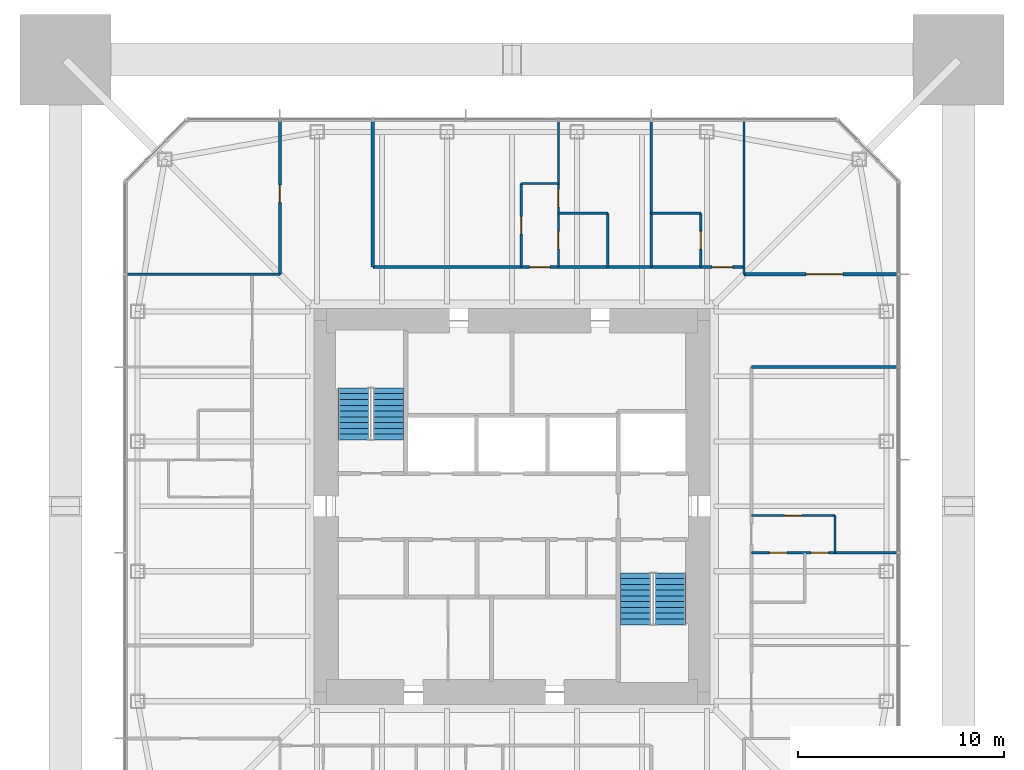
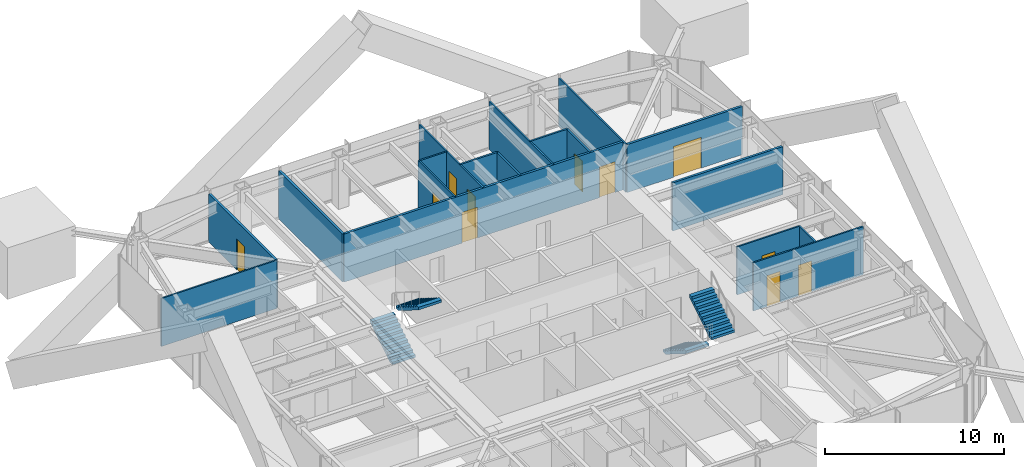
# One storey, part 10 of 13: 18 walls, 11 doors, 4 stair flights, 11 openings, 2 elements without a shape of their own.
"""IFC4 building model written with IfcOpenShell, lengths in metres."""

import ifcopenshell
import ifcopenshell.guid

model = None  # the IFC model being written
_history = None  # IfcOwnerHistory: only IFC2X3 demands one
_inside = {}  # id of a spatial element -> (the spatial element, [elements in it])
_under = {}  # id of a project, library or spatial element -> (it, [spatial elements below it])
_declared = {}  # id of a project -> (the project, [libraries it declares])
_typed = {}  # id of a type object -> (the type object, [elements of that type])
_made_of = {}  # id of a material, layer set ... -> (it, [elements and type objects made of it])


def new_model(schema):
    """Start an empty IFC model of exactly this schema.

    Asked for "IFC4X3", IfcOpenShell would pick the latest addendum, in which some entities
    have other attributes; the version numbers below select the first issue.
    IFC2X3 requires an IfcOwnerHistory on every rooted entity: one is made here for all.
    """
    global model, _history
    if schema == "IFC4X3":
        model = ifcopenshell.file(schema_version=(4, 3, 0, 0))
    else:
        model = ifcopenshell.file(schema=schema)
    _inside.clear()
    _under.clear()
    _declared.clear()
    _typed.clear()
    _made_of.clear()
    _history = None
    if model.schema == "IFC2X3":
        org = make("IfcOrganization", Name="unknown")
        user = make(
            "IfcPersonAndOrganization",
            ThePerson=make("IfcPerson", FamilyName="unknown"),
            TheOrganization=org,
        )
        app = make(
            "IfcApplication",
            ApplicationDeveloper=org,
            Version="unknown",
            ApplicationFullName="unknown",
            ApplicationIdentifier="unknown",
        )
        _history = make(
            "IfcOwnerHistory",
            OwningUser=user,
            OwningApplication=app,
            ChangeAction="ADDED",
            CreationDate=0,
        )
    return model


def make(cls, **values):
    """One entity of the class cls with the attributes given. An attribute that is None is left unset."""
    return model.create_entity(
        cls, **{name: value for name, value in values.items() if value is not None}
    )


def rooted(cls, **values):
    """An entity with a GlobalId (a new one), such as an element, a storey or a relation."""
    return make(cls, GlobalId=ifcopenshell.guid.new(), OwnerHistory=_history, **values)


def si_unit(unit_type, name, prefix=None):
    """IfcSIUnit, for example si_unit("LENGTHUNIT", "METRE", prefix="MILLI")."""
    return make("IfcSIUnit", UnitType=unit_type, Prefix=prefix, Name=name)


def assignment(units):
    """IfcUnitAssignment: the units of a project."""
    return None if units is None else make("IfcUnitAssignment", Units=units)


def point(xyz):
    """IfcCartesianPoint."""
    return None if xyz is None else make("IfcCartesianPoint", Coordinates=xyz)


def direction(xyz):
    """IfcDirection."""
    return None if xyz is None else make("IfcDirection", DirectionRatios=xyz)


def frame(location, z_axis=None, x_axis=None):
    """IfcAxis2Placement3D, a coordinate frame: its origin and axes. An axis left out is left unset."""
    return make(
        "IfcAxis2Placement3D",
        Location=point(location),
        Axis=direction(z_axis),
        RefDirection=direction(x_axis),
    )


def frame_2d(location, x_axis=None):
    """IfcAxis2Placement2D, a coordinate frame in the plane: its origin and x axis."""
    return make(
        "IfcAxis2Placement2D", Location=point(location), RefDirection=direction(x_axis)
    )


def origin():
    """The frame at (0, 0, 0) with its axes left unset."""
    return frame((0.0, 0.0, 0.0))


def place(relative_to, where):
    """IfcLocalPlacement: puts the frame where relative to a parent placement (None: the world)."""
    return make(
        "IfcLocalPlacement", PlacementRelTo=relative_to, RelativePlacement=where
    )


def context(
    kind, dimensions, precision=None, world=None, true_north=None, identifier=None
):
    """IfcGeometricRepresentationContext, for example the 3D "Model" context."""
    return make(
        "IfcGeometricRepresentationContext",
        ContextIdentifier=identifier,
        ContextType=kind,
        CoordinateSpaceDimension=dimensions,
        Precision=precision,
        WorldCoordinateSystem=world,
        TrueNorth=true_north,
    )


def subcontext(parent, identifier, kind, view, scale=None):
    """IfcGeometricRepresentationSubContext, for example "Body" below "Model"."""
    return make(
        "IfcGeometricRepresentationSubContext",
        ContextIdentifier=identifier,
        ContextType=kind,
        ParentContext=parent,
        TargetScale=scale,
        TargetView=view,
    )


def project(units=None, contexts=None):
    """IfcProject with its units and contexts."""
    return rooted(
        "IfcProject",
        Name="project",
        RepresentationContexts=contexts,
        UnitsInContext=assignment(units),
    )


def spatial(cls, under=None, at=None, **own):
    """A site, building, storey or space (cls), placed at a placement, below another one or the project."""
    s = rooted(cls, ObjectPlacement=at, **own)
    if under is not None:
        _under.setdefault(under.id(), (under, []))[1].append(s)
    return s


def polyline(points):
    """IfcPolyline through the points."""
    return make("IfcPolyline", Points=[point(p) for p in points])


def profile(cls, at=None, kind="AREA", **sizes):
    """A parametric profile (cls). Its sizes go by their IFC names, for example OverallWidth=200.0."""
    return make(cls, ProfileType=kind, Position=at, **sizes)


def rectangle(**sizes):
    """IfcRectangleProfileDef."""
    return profile("IfcRectangleProfileDef", **sizes)


def outline(outer, holes=None, kind="AREA"):
    """IfcArbitraryClosedProfileDef: a profile drawn as a closed curve; with holes, ...WithVoids."""
    if holes is None:
        return make("IfcArbitraryClosedProfileDef", ProfileType=kind, OuterCurve=outer)
    return make(
        "IfcArbitraryProfileDefWithVoids",
        ProfileType=kind,
        OuterCurve=outer,
        InnerCurves=holes,
    )


def extrude(swept, where, along, depth):
    """IfcExtrudedAreaSolid: the profile swept, set in the frame where, extruded along a direction by depth."""
    return make(
        "IfcExtrudedAreaSolid",
        SweptArea=swept,
        Position=where,
        ExtrudedDirection=direction(along),
        Depth=depth,
    )


def shape(context_of_items, identifier, shape_type, items):
    """IfcShapeRepresentation: the items that make up one representation, for example the "Body"."""
    return make(
        "IfcShapeRepresentation",
        ContextOfItems=context_of_items,
        RepresentationIdentifier=identifier,
        RepresentationType=shape_type,
        Items=items,
    )


def material(Name=None, Category=None):
    """IfcMaterial."""
    return make("IfcMaterial", Name=Name, Category=Category)


def layer(
    of_material, thickness, ventilated=None, Name=None, Category=None, Priority=None
):
    """IfcMaterialLayer: one layer of a wall or slab, of a material (None: an air gap)."""
    return make(
        "IfcMaterialLayer",
        Material=of_material,
        LayerThickness=thickness,
        IsVentilated=ventilated,
        Name=Name,
        Category=Category,
        Priority=Priority,
    )


def layer_set(layers, Name=None):
    """IfcMaterialLayerSet."""
    return make("IfcMaterialLayerSet", MaterialLayers=layers, LayerSetName=Name)


def constituent(of_material, Name=None, Category=None, fraction=None):
    """IfcMaterialConstituent: one of the materials an element consists of."""
    return make(
        "IfcMaterialConstituent",
        Name=Name,
        Material=of_material,
        Fraction=fraction,
        Category=Category,
    )


def constituent_set(constituents=None, Name=None):
    """IfcMaterialConstituentSet."""
    return make(
        "IfcMaterialConstituentSet", Name=Name, MaterialConstituents=constituents
    )


def made_of(thing, what):
    """Note that an element or type object is made of a material, layer set ...; save() writes the relation."""
    if what is not None:
        _made_of.setdefault(what.id(), (what, []))[1].append(thing)
    return thing


def type_object(cls, material=None, **own):
    """A type object (cls), such as IfcWallType, which elements share."""
    return made_of(rooted(cls, **own), material)


def element(
    cls,
    number,
    at=None,
    inside=None,
    cuts=None,
    type_object=None,
    material=None,
    context=None,
    identifier="Body",
    shape_type=None,
    held_by="IfcProductDefinitionShape",
    body=None,
    shapes=None,
    **own,
):
    """One element of the class cls, such as IfcWall. Its Tag is "e" and its number.

    at: its placement. inside: the storey or other place that contains it. cuts: it is an
    opening in that element (IfcRelVoidsElement). A single representation is given by context,
    identifier, shape_type and body (its items); several are given by shapes. held_by: the class
    of the entity that holds the representations. save() writes the other relations.
    """
    e = rooted(cls, Tag="e%d" % number, ObjectPlacement=at, **own)
    if body is not None:
        shapes = [shape(context, identifier, shape_type, body)]
    if shapes is not None:
        e.Representation = make(held_by, Representations=shapes)
    if inside is not None:
        _inside.setdefault(inside.id(), (inside, []))[1].append(e)
    if cuts is not None:
        rooted(
            "IfcRelVoidsElement", RelatingBuildingElement=cuts, RelatedOpeningElement=e
        )
    if type_object is not None:
        _typed.setdefault(type_object.id(), (type_object, []))[1].append(e)
    return made_of(e, material)


def fill(opening, filler):
    """IfcRelFillsElement: the door or window that sits in an opening."""
    return rooted(
        "IfcRelFillsElement",
        RelatingOpeningElement=opening,
        RelatedBuildingElement=filler,
    )


def aggregate(whole, parts):
    """IfcRelAggregates: a whole, such as a stair, and the parts it consists of."""
    return rooted("IfcRelAggregates", RelatingObject=whole, RelatedObjects=parts)


def save(model, path):
    """Write the relations noted so far, then the file.

    IfcRelAggregates (storeys below a building ...), IfcRelContainedInSpatialStructure (elements
    in a storey), IfcRelDefinesByType, IfcRelAssociatesMaterial and IfcRelDeclares: one each for
    every whole, place, type object, material and project.
    """
    for whole, parts in _under.values():
        aggregate(whole, parts)
    for where, things in _inside.values():
        rooted(
            "IfcRelContainedInSpatialStructure",
            RelatedElements=things,
            RelatingStructure=where,
        )
    for kind, things in _typed.values():
        rooted("IfcRelDefinesByType", RelatedObjects=things, RelatingType=kind)
    for what, things in _made_of.values():
        rooted("IfcRelAssociatesMaterial", RelatedObjects=things, RelatingMaterial=what)
    for by, libraries in _declared.values():
        rooted("IfcRelDeclares", RelatingContext=by, RelatedDefinitions=libraries)
    model.write(path)


model = new_model("IFC4")

# Units and contexts
model_context = context("Model", 3, precision=1e-05, world=origin(), true_north=direction((0.0, 1.0)))
body_context = subcontext(model_context, "Body", "Model", "MODEL_VIEW")
ifc_project = project(units=[si_unit("LENGTHUNIT", "METRE"), si_unit("AREAUNIT", "SQUARE_METRE"), si_unit("VOLUMEUNIT", "CUBIC_METRE"), si_unit("PLANEANGLEUNIT", "RADIAN"), si_unit("MASSUNIT", "GRAM", prefix="KILO")], contexts=[model_context])

# Site, building, storey
site_placement = place(None, origin())
site = spatial("IfcSite", under=ifc_project, at=site_placement, CompositionType="ELEMENT")
building_placement = place(site_placement, origin())
building = spatial("IfcBuilding", under=site, at=building_placement, Name="Iwan Alto Co-Living Towers", CompositionType="ELEMENT")
storey_placement = place(building_placement, frame((0.0, 0.0, 184.5)))
storey = spatial("IfcBuildingStorey", under=building, at=storey_placement, Name="L50", CompositionType="ELEMENT", Elevation=184.5)

# Wall
ifc_material_1 = material(Name="Gypsum board")
ifc_layer_1 = layer(ifc_material_1, 0.02490234375, Name="Board", Category="Finish")
ifc_material_2 = material(Name="Steel ASTM A1003 ST33H cold-formed studs", Category="steel")
ifc_layer_2 = layer(ifc_material_2, 0.10009765625, Name="Studs", Category="Framing")
ifc_layer_3 = layer(ifc_material_1, 0.02490234375, Name="Board", Category="Finish")
ifc_layer_set_1 = layer_set([ifc_layer_1, ifc_layer_2, ifc_layer_3], Name="CORRIDOR WALL 150")
wall_type_1 = type_object("IfcWallType", Name="CORRIDOR WALL 150", PredefinedType="PARTITIONING", material=ifc_layer_set_1)
wall_1_placement = place(storey_placement, frame((11.60009765625, 6.75, 0.0), z_axis=(0.0, 0.0, 1.0), x_axis=(1.0, 0.0, 0.0)))
element("IfcWall", 1, at=wall_1_placement, inside=storey, type_object=wall_type_1, Name="Partition L50", PredefinedType="PARTITIONING", context=body_context, shape_type="SweptSolid", body=[
    extrude(rectangle(XDim=7.08984375, YDim=0.14990234375, at=frame_2d((3.544921875, 0.0))), origin(), (0.0, 0.0, 1.0), 3.27001953125),
])

# Wall, opening, door
wall_2_placement = place(storey_placement, frame((11.25, 11.25, 0.0), z_axis=(0.0, 0.0, 1.0), x_axis=(1.0, 0.0, 0.0)))
wall_2 = element("IfcWall", 2, at=wall_2_placement, inside=storey, type_object=wall_type_1, Name="Partition L50", PredefinedType="PARTITIONING", context=body_context, shape_type="SweptSolid", body=[
    extrude(rectangle(XDim=7.43994140625, YDim=0.14990234375, at=frame_2d((3.719970703125, 0.0))), origin(), (0.0, 0.0, 1.0), 3.27001953125),
])
opening_1_placement = place(wall_2_placement, frame((2.9951171875, 0.0, 0.0)))
opening_1 = element("IfcOpeningElement", 3, at=opening_1_placement, cuts=wall_2, Name="Opening D9", PredefinedType="OPENING", context=body_context, shape_type="SweptSolid", body=[
    extrude(rectangle(XDim=1.800048828125, YDim=2.10009765625, at=frame_2d((0.89990234375, 1.050048828125))), frame((0.0, 0.0849609375, 0.0), z_axis=(0.0, -1.0, 0.0), x_axis=(1.0, 0.0, 0.0)), (0.0, 0.0, 1.0), 0.169921875),
])
ifc_material_3 = material(Name="Steel frame with timber leaf", Category="steel")
door_type_1 = type_object("IfcDoorType", Name="LOUNGE DOOR FD30S 1800X2100", OperationType="DOUBLE_DOOR_SINGLE_SWING", PredefinedType="DOOR", material=ifc_material_3)
door_1_placement = place(opening_1_placement, origin())
door_1 = element("IfcDoor", 4, at=door_1_placement, inside=storey, type_object=door_type_1, Name="Study lounge door L50", OperationType="DOUBLE_DOOR_SINGLE_SWING", OverallHeight=2.10009765625, OverallWidth=1.800048828125, PredefinedType="DOOR", context=body_context, shape_type="SweptSolid", body=[
    extrude(rectangle(XDim=1.800048828125, YDim=2.10009765625, at=frame_2d((0.89990234375, 1.050048828125))), frame((0.0, 0.02490234375, 0.0), z_axis=(0.0, -1.0, 0.0), x_axis=(1.0, 0.0, 0.0)), (0.0, 0.0, 1.0), 0.050048828125),
])
fill(opening_1, door_1)

# Wall, openings, doors
wall_3_placement = place(storey_placement, frame((-6.75, 11.60009765625, 0.0), z_axis=(0.0, 0.0, 1.0), x_axis=(1.0, 0.0, 0.0)))
wall_3 = element("IfcWall", 5, at=wall_3_placement, inside=storey, type_object=wall_type_1, Name="Partition L50", PredefinedType="PARTITIONING", context=body_context, shape_type="SweptSolid", body=[
    extrude(rectangle(XDim=18.0, YDim=0.14990234375, at=frame_2d((9.0, 0.0))), origin(), (0.0, 0.0, 1.0), 3.27001953125),
])
opening_2_placement = place(wall_3_placement, frame((16.449951171875, 0.0, 0.0)))
opening_2 = element("IfcOpeningElement", 6, at=opening_2_placement, cuts=wall_3, Name="Opening D3", PredefinedType="OPENING", context=body_context, shape_type="SweptSolid", body=[
    extrude(rectangle(XDim=1.0, YDim=2.10009765625, at=frame_2d((0.5, 1.050048828125))), frame((0.0, 0.0849609375, 0.0), z_axis=(0.0, -1.0, 0.0), x_axis=(1.0, 0.0, 0.0)), (0.0, 0.0, 1.0), 0.169921875),
])
opening_3_placement = place(wall_3_placement, frame((7.60009765625, 0.0, 0.0)))
opening_3 = element("IfcOpeningElement", 7, at=opening_3_placement, cuts=wall_3, Name="Opening D3", PredefinedType="OPENING", context=body_context, shape_type="SweptSolid", body=[
    extrude(rectangle(XDim=1.0, YDim=2.10009765625, at=frame_2d((0.5, 1.050048828125))), frame((0.0, 0.0849609375, 0.0), z_axis=(0.0, -1.0, 0.0), x_axis=(1.0, 0.0, 0.0)), (0.0, 0.0, 1.0), 0.169921875),
])
ifc_material_4 = material(Name="Steel frame with timber leaf", Category="steel")
door_type_2 = type_object("IfcDoorType", Name="FLAT ENTRANCE DOOR FD30S 1000X2100", OperationType="SINGLE_SWING_LEFT", PredefinedType="DOOR", material=ifc_material_4)
door_2_placement = place(opening_2_placement, origin())
door_2 = element("IfcDoor", 8, at=door_2_placement, inside=storey, type_object=door_type_2, Name="Studio door L50", OperationType="SINGLE_SWING_LEFT", OverallHeight=2.10009765625, OverallWidth=1.0, PredefinedType="DOOR", context=body_context, shape_type="SweptSolid", body=[
    extrude(rectangle(XDim=1.0, YDim=2.10009765625, at=frame_2d((0.5, 1.050048828125))), frame((0.0, 0.02490234375, 0.0), z_axis=(0.0, -1.0, 0.0), x_axis=(1.0, 0.0, 0.0)), (0.0, 0.0, 1.0), 0.050048828125),
])
fill(opening_2, door_2)
door_3_placement = place(opening_3_placement, origin())
door_3 = element("IfcDoor", 9, at=door_3_placement, inside=storey, type_object=door_type_2, Name="Apartment foyer door L50", OperationType="SINGLE_SWING_LEFT", OverallHeight=2.10009765625, OverallWidth=1.0, PredefinedType="DOOR", context=body_context, shape_type="SweptSolid", body=[
    extrude(rectangle(XDim=1.0, YDim=2.10009765625, at=frame_2d((0.5, 1.050048828125))), frame((0.0, 0.02490234375, 0.0), z_axis=(0.0, -1.0, 0.0), x_axis=(1.0, 0.0, 0.0)), (0.0, 0.0, 1.0), 0.050048828125),
])
fill(opening_3, door_3)

# Wall
wall_4_placement = place(storey_placement, frame((-6.75, 11.60009765625, 0.0), z_axis=(0.0, 0.0, 1.0), x_axis=(0.0, 1.0, 0.0)))
element("IfcWall", 10, at=wall_4_placement, inside=storey, type_object=wall_type_1, Name="Partition L50", PredefinedType="PARTITIONING", context=body_context, shape_type="SweptSolid", body=[
    extrude(rectangle(XDim=7.08984375, YDim=0.14990234375, at=frame_2d((3.544921875, 0.0))), origin(), (0.0, 0.0, 1.0), 3.27001953125),
])

# Wall, opening, door
wall_5_placement = place(storey_placement, frame((-11.25, 11.25, 0.0), z_axis=(0.0, 0.0, 1.0), x_axis=(0.0, 1.0, 0.0)))
wall_5 = element("IfcWall", 11, at=wall_5_placement, inside=storey, type_object=wall_type_1, Name="Partition L50", PredefinedType="PARTITIONING", context=body_context, shape_type="SweptSolid", body=[
    extrude(rectangle(XDim=7.43994140625, YDim=0.14990234375, at=frame_2d((3.719970703125, 0.0))), origin(), (0.0, 0.0, 1.0), 3.27001953125),
])
opening_4_placement = place(wall_5_placement, frame((3.469970703125, 0.0, 0.0)))
opening_4 = element("IfcOpeningElement", 12, at=opening_4_placement, cuts=wall_5, Name="Opening D2", PredefinedType="OPENING", context=body_context, shape_type="SweptSolid", body=[
    extrude(rectangle(XDim=0.85009765625, YDim=2.10009765625, at=frame_2d((0.425048828125, 1.050048828125))), frame((0.0, 0.0849609375, 0.0), z_axis=(0.0, -1.0, 0.0), x_axis=(1.0, 0.0, 0.0)), (0.0, 0.0, 1.0), 0.169921875),
])
ifc_material_5 = material(Name="Timber leaf in steel frame", Category="steel")
door_type_3 = type_object("IfcDoorType", Name="ROOM DOOR 850X2100", OperationType="SINGLE_SWING_LEFT", PredefinedType="DOOR", material=ifc_material_5)
door_4_placement = place(opening_4_placement, origin())
door_4 = element("IfcDoor", 13, at=door_4_placement, inside=storey, type_object=door_type_3, Name="Shared kitchen and lounge door L50", OperationType="SINGLE_SWING_RIGHT", OverallHeight=2.10009765625, OverallWidth=0.85009765625, PredefinedType="DOOR", context=body_context, shape_type="SweptSolid", body=[
    extrude(rectangle(XDim=0.85009765625, YDim=2.10009765625, at=frame_2d((0.425048828125, 1.050048828125))), frame((0.0, 0.02490234375, 0.0), z_axis=(0.0, -1.0, 0.0), x_axis=(1.0, 0.0, 0.0)), (0.0, 0.0, 1.0), 0.050048828125),
])
fill(opening_4, door_4)

# Wall, openings, doors
ifc_layer_4 = layer(ifc_material_1, 0.012451171875, Name="Board", Category="Finish")
ifc_layer_5 = layer(ifc_material_2, 0.074951171875, Name="Studs", Category="Framing")
ifc_layer_6 = layer(ifc_material_1, 0.012451171875, Name="Board", Category="Finish")
ifc_layer_set_2 = layer_set([ifc_layer_4, ifc_layer_5, ifc_layer_6], Name="PARTITION 100")
wall_type_2 = type_object("IfcWallType", Name="PARTITION 100", PredefinedType="PARTITIONING", material=ifc_layer_set_2)
wall_6_placement = place(storey_placement, frame((11.60009765625, -2.25, 0.0), z_axis=(0.0, 0.0, 1.0), x_axis=(1.0, 0.0, 0.0)))
wall_6 = element("IfcWall", 14, at=wall_6_placement, inside=storey, type_object=wall_type_2, Name="Partition L50", PredefinedType="PARTITIONING", context=body_context, shape_type="SweptSolid", body=[
    extrude(rectangle(XDim=7.08984375, YDim=0.10009765625, at=frame_2d((3.544921875, 0.0))), origin(), (0.0, 0.0, 1.0), 3.27001953125),
])
opening_5_placement = place(wall_6_placement, frame((2.89990234375, 0.0, 0.0)))
opening_5 = element("IfcOpeningElement", 15, at=opening_5_placement, cuts=wall_6, Name="Opening D2", PredefinedType="OPENING", context=body_context, shape_type="SweptSolid", body=[
    extrude(rectangle(XDim=0.85009765625, YDim=2.10009765625, at=frame_2d((0.425048828125, 1.050048828125))), frame((0.0, 0.06005859375, 0.0), z_axis=(0.0, -1.0, 0.0), x_axis=(1.0, 0.0, 0.0)), (0.0, 0.0, 1.0), 0.1201171875),
])
opening_6_placement = place(wall_6_placement, frame((0.875, 0.0, 0.0)))
opening_6 = element("IfcOpeningElement", 16, at=opening_6_placement, cuts=wall_6, Name="Opening D2", PredefinedType="OPENING", context=body_context, shape_type="SweptSolid", body=[
    extrude(rectangle(XDim=0.85009765625, YDim=2.10009765625, at=frame_2d((0.425048828125, 1.050048828125))), frame((0.0, 0.06005859375, 0.0), z_axis=(0.0, -1.0, 0.0), x_axis=(1.0, 0.0, 0.0)), (0.0, 0.0, 1.0), 0.1201171875),
])
door_5_placement = place(opening_5_placement, frame((0.85009765625, 0.0, 0.0), z_axis=(0.0, 0.0, 1.0), x_axis=(-1.0, 0.0, 0.0)))
door_5 = element("IfcDoor", 17, at=door_5_placement, inside=storey, type_object=door_type_3, Name="Bedroom door L50", OperationType="SINGLE_SWING_RIGHT", OverallHeight=2.10009765625, OverallWidth=0.85009765625, PredefinedType="DOOR", context=body_context, shape_type="SweptSolid", body=[
    extrude(rectangle(XDim=0.85009765625, YDim=2.10009765625, at=frame_2d((0.425048828125, 1.050048828125))), frame((0.0, 0.02490234375, 0.0), z_axis=(0.0, -1.0, 0.0), x_axis=(1.0, 0.0, 0.0)), (0.0, 0.0, 1.0), 0.050048828125),
])
fill(opening_5, door_5)
door_6_placement = place(opening_6_placement, frame((0.85009765625, 0.0, 0.0), z_axis=(0.0, 0.0, 1.0), x_axis=(-1.0, 0.0, 0.0)))
door_6 = element("IfcDoor", 18, at=door_6_placement, inside=storey, type_object=door_type_3, Name="Bathroom door L50", OperationType="SINGLE_SWING_RIGHT", OverallHeight=2.10009765625, OverallWidth=0.85009765625, PredefinedType="DOOR", context=body_context, shape_type="SweptSolid", body=[
    extrude(rectangle(XDim=0.85009765625, YDim=2.10009765625, at=frame_2d((0.425048828125, 1.050048828125))), frame((0.0, 0.02490234375, 0.0), z_axis=(0.0, -1.0, 0.0), x_axis=(1.0, 0.0, 0.0)), (0.0, 0.0, 1.0), 0.050048828125),
])
fill(opening_6, door_6)

# Wall, opening, door
wall_7_placement = place(storey_placement, frame((11.60009765625, -0.449951171875, 0.0), z_axis=(0.0, 0.0, 1.0), x_axis=(1.0, 0.0, 0.0)))
wall_7 = element("IfcWall", 19, at=wall_7_placement, inside=storey, type_object=wall_type_2, Name="Partition L50", PredefinedType="PARTITIONING", context=body_context, shape_type="SweptSolid", body=[
    extrude(rectangle(XDim=4.0498046875, YDim=0.10009765625, at=frame_2d((2.02490234375, 0.0))), origin(), (0.0, 0.0, 1.0), 3.27001953125),
])
opening_7_placement = place(wall_7_placement, frame((1.60009765625, 0.0, 0.0)))
opening_7 = element("IfcOpeningElement", 20, at=opening_7_placement, cuts=wall_7, Name="Opening D2", PredefinedType="OPENING", context=body_context, shape_type="SweptSolid", body=[
    extrude(rectangle(XDim=0.85009765625, YDim=2.10009765625, at=frame_2d((0.425048828125, 1.050048828125))), frame((0.0, 0.06005859375, 0.0), z_axis=(0.0, -1.0, 0.0), x_axis=(1.0, 0.0, 0.0)), (0.0, 0.0, 1.0), 0.1201171875),
])
door_7_placement = place(opening_7_placement, origin())
door_7 = element("IfcDoor", 21, at=door_7_placement, inside=storey, type_object=door_type_3, Name="Apartment foyer door L50", OperationType="SINGLE_SWING_LEFT", OverallHeight=2.10009765625, OverallWidth=0.85009765625, PredefinedType="DOOR", context=body_context, shape_type="SweptSolid", body=[
    extrude(rectangle(XDim=0.85009765625, YDim=2.10009765625, at=frame_2d((0.425048828125, 1.050048828125))), frame((0.0, 0.02490234375, 0.0), z_axis=(0.0, -1.0, 0.0), x_axis=(1.0, 0.0, 0.0)), (0.0, 0.0, 1.0), 0.050048828125),
])
fill(opening_7, door_7)

# Walls
wall_8_placement = place(storey_placement, frame((-18.68994140625, 11.25, 0.0), z_axis=(0.0, 0.0, 1.0), x_axis=(1.0, 0.0, 0.0)))
element("IfcWall", 22, at=wall_8_placement, inside=storey, type_object=wall_type_2, Name="Partition L50", PredefinedType="PARTITIONING", context=body_context, shape_type="SweptSolid", body=[
    extrude(rectangle(XDim=7.43994140625, YDim=0.10009765625, at=frame_2d((3.719970703125, 0.0))), origin(), (0.0, 0.0, 1.0), 3.27001953125),
])
for number, where, z_axis, x_axis, name in (
    (23, (0.449951171875, 15.64990234375, 0.0), (0.0, 0.0, 1.0), (1.0, 0.0, 0.0), "Partition L50"),
    (24, (15.64990234375, -2.25, 0.0), (0.0, 0.0, 1.0), (0.0, 1.0, 0.0), "Partition L50"),
):
    element("IfcWall", number, at=place(storey_placement, frame(where, z_axis=z_axis, x_axis=x_axis)), inside=storey, type_object=wall_type_2, Name=name, PredefinedType="PARTITIONING", context=body_context, shape_type="SweptSolid", body=[
        extrude(rectangle(XDim=1.800048828125, YDim=0.10009765625, at=frame_2d((0.89990234375, 0.0))), origin(), (0.0, 0.0, 1.0), 3.27001953125),
    ])
wall_9_placement = place(storey_placement, frame((11.25, 11.25, 0.0), z_axis=(0.0, 0.0, 1.0), x_axis=(0.0, 1.0, 0.0)))
element("IfcWall", 25, at=wall_9_placement, inside=storey, type_object=wall_type_2, Name="Partition L50", PredefinedType="PARTITIONING", context=body_context, shape_type="SweptSolid", body=[
    extrude(rectangle(XDim=7.43994140625, YDim=0.10009765625, at=frame_2d((3.719970703125, 0.0))), origin(), (0.0, 0.0, 1.0), 3.27001953125),
])
wall_10_placement = place(storey_placement, frame((6.75, 11.60009765625, 0.0), z_axis=(0.0, 0.0, 1.0), x_axis=(0.0, 1.0, 0.0)))
element("IfcWall", 26, at=wall_10_placement, inside=storey, type_object=wall_type_2, Name="Partition L50", PredefinedType="PARTITIONING", context=body_context, shape_type="SweptSolid", body=[
    extrude(rectangle(XDim=7.08984375, YDim=0.10009765625, at=frame_2d((3.544921875, 0.0))), origin(), (0.0, 0.0, 1.0), 3.27001953125),
])

# Wall, openings, doors
wall_11_placement = place(storey_placement, frame((2.25, 11.60009765625, 0.0), z_axis=(0.0, 0.0, 1.0), x_axis=(0.0, 1.0, 0.0)))
wall_11 = element("IfcWall", 27, at=wall_11_placement, inside=storey, type_object=wall_type_2, Name="Partition L50", PredefinedType="PARTITIONING", context=body_context, shape_type="SweptSolid", body=[
    extrude(rectangle(XDim=7.08984375, YDim=0.10009765625, at=frame_2d((3.544921875, 0.0))), origin(), (0.0, 0.0, 1.0), 3.27001953125),
])
opening_8_placement = place(wall_11_placement, frame((2.89990234375, 0.0, 0.0)))
opening_8 = element("IfcOpeningElement", 28, at=opening_8_placement, cuts=wall_11, Name="Opening D2", PredefinedType="OPENING", context=body_context, shape_type="SweptSolid", body=[
    extrude(rectangle(XDim=0.85009765625, YDim=2.10009765625, at=frame_2d((0.425048828125, 1.050048828125))), frame((0.0, 0.06005859375, 0.0), z_axis=(0.0, -1.0, 0.0), x_axis=(1.0, 0.0, 0.0)), (0.0, 0.0, 1.0), 0.1201171875),
])
opening_9_placement = place(wall_11_placement, frame((0.875, 0.0, 0.0)))
opening_9 = element("IfcOpeningElement", 29, at=opening_9_placement, cuts=wall_11, Name="Opening D2", PredefinedType="OPENING", context=body_context, shape_type="SweptSolid", body=[
    extrude(rectangle(XDim=0.85009765625, YDim=2.10009765625, at=frame_2d((0.425048828125, 1.050048828125))), frame((0.0, 0.06005859375, 0.0), z_axis=(0.0, -1.0, 0.0), x_axis=(1.0, 0.0, 0.0)), (0.0, 0.0, 1.0), 0.1201171875),
])
door_8_placement = place(opening_8_placement, frame((0.85009765625, 0.0, 0.0), z_axis=(0.0, 0.0, 1.0), x_axis=(-1.0, 0.0, 0.0)))
door_8 = element("IfcDoor", 30, at=door_8_placement, inside=storey, type_object=door_type_3, Name="Bedroom door L50", OperationType="SINGLE_SWING_RIGHT", OverallHeight=2.10009765625, OverallWidth=0.85009765625, PredefinedType="DOOR", context=body_context, shape_type="SweptSolid", body=[
    extrude(rectangle(XDim=0.85009765625, YDim=2.10009765625, at=frame_2d((0.425048828125, 1.050048828125))), frame((0.0, 0.02490234375, 0.0), z_axis=(0.0, -1.0, 0.0), x_axis=(1.0, 0.0, 0.0)), (0.0, 0.0, 1.0), 0.050048828125),
])
fill(opening_8, door_8)
door_9_placement = place(opening_9_placement, frame((0.85009765625, 0.0, 0.0), z_axis=(0.0, 0.0, 1.0), x_axis=(-1.0, 0.0, 0.0)))
door_9 = element("IfcDoor", 31, at=door_9_placement, inside=storey, type_object=door_type_3, Name="Bathroom door L50", OperationType="SINGLE_SWING_RIGHT", OverallHeight=2.10009765625, OverallWidth=0.85009765625, PredefinedType="DOOR", context=body_context, shape_type="SweptSolid", body=[
    extrude(rectangle(XDim=0.85009765625, YDim=2.10009765625, at=frame_2d((0.425048828125, 1.050048828125))), frame((0.0, 0.02490234375, 0.0), z_axis=(0.0, -1.0, 0.0), x_axis=(1.0, 0.0, 0.0)), (0.0, 0.0, 1.0), 0.050048828125),
])
fill(opening_9, door_9)

# Wall, opening, door
wall_12_placement = place(storey_placement, frame((0.449951171875, 11.60009765625, 0.0), z_axis=(0.0, 0.0, 1.0), x_axis=(0.0, 1.0, 0.0)))
wall_12 = element("IfcWall", 32, at=wall_12_placement, inside=storey, type_object=wall_type_2, Name="Partition L50", PredefinedType="PARTITIONING", context=body_context, shape_type="SweptSolid", body=[
    extrude(rectangle(XDim=4.0498046875, YDim=0.10009765625, at=frame_2d((2.02490234375, 0.0))), origin(), (0.0, 0.0, 1.0), 3.27001953125),
])
opening_10_placement = place(wall_12_placement, frame((1.60009765625, 0.0, 0.0)))
opening_10 = element("IfcOpeningElement", 33, at=opening_10_placement, cuts=wall_12, Name="Opening D2", PredefinedType="OPENING", context=body_context, shape_type="SweptSolid", body=[
    extrude(rectangle(XDim=0.85009765625, YDim=2.10009765625, at=frame_2d((0.425048828125, 1.050048828125))), frame((0.0, 0.06005859375, 0.0), z_axis=(0.0, -1.0, 0.0), x_axis=(1.0, 0.0, 0.0)), (0.0, 0.0, 1.0), 0.1201171875),
])
door_10_placement = place(opening_10_placement, origin())
door_10 = element("IfcDoor", 34, at=door_10_placement, inside=storey, type_object=door_type_3, Name="Apartment foyer door L50", OperationType="SINGLE_SWING_LEFT", OverallHeight=2.10009765625, OverallWidth=0.85009765625, PredefinedType="DOOR", context=body_context, shape_type="SweptSolid", body=[
    extrude(rectangle(XDim=0.85009765625, YDim=2.10009765625, at=frame_2d((0.425048828125, 1.050048828125))), frame((0.0, 0.02490234375, 0.0), z_axis=(0.0, -1.0, 0.0), x_axis=(1.0, 0.0, 0.0)), (0.0, 0.0, 1.0), 0.050048828125),
])
fill(opening_10, door_10)

# Walls
ifc_material_6 = material(Name="Cement board")
ifc_layer_7 = layer(ifc_material_6, 0.012451171875, Name="Board", Category="Finish")
ifc_layer_8 = layer(ifc_material_2, 0.094970703125, Name="Studs", Category="Framing")
ifc_layer_9 = layer(ifc_material_6, 0.012451171875, Name="Board", Category="Finish")
ifc_layer_set_3 = layer_set([ifc_layer_7, ifc_layer_8, ifc_layer_9], Name="WET AREA PARTITION 120")
wall_type_3 = type_object("IfcWallType", Name="WET AREA PARTITION 120", PredefinedType="PARTITIONING", material=ifc_layer_set_3)
for number, where, z_axis, x_axis, name in (
    (35, (2.25, 14.199951171875, 0.0), (0.0, 0.0, 1.0), (1.0, 0.0, 0.0), "Partition L50"),
    (36, (6.75, 14.199951171875, 0.0), (0.0, 0.0, 1.0), (1.0, 0.0, 0.0), "Partition L50"),
):
    element("IfcWall", number, at=place(storey_placement, frame(where, z_axis=z_axis, x_axis=x_axis)), inside=storey, type_object=wall_type_3, Name=name, PredefinedType="PARTITIONING", context=body_context, shape_type="SweptSolid", body=[
        extrude(rectangle(XDim=2.39990234375, YDim=0.1201171875, at=frame_2d((1.199951171875, 0.0))), origin(), (0.0, 0.0, 1.0), 3.27001953125),
    ])

# Wall, opening, door
wall_13_placement = place(storey_placement, frame((9.14990234375, 11.60009765625, 0.0), z_axis=(0.0, 0.0, 1.0), x_axis=(0.0, 1.0, 0.0)))
wall_13 = element("IfcWall", 37, at=wall_13_placement, inside=storey, type_object=wall_type_3, Name="Partition L50", PredefinedType="PARTITIONING", context=body_context, shape_type="SweptSolid", body=[
    extrude(rectangle(XDim=2.599853515625, YDim=0.1201171875, at=frame_2d((1.2998046875, 0.0))), origin(), (0.0, 0.0, 1.0), 3.27001953125),
])
opening_11_placement = place(wall_13_placement, frame((0.875, 0.0, 0.0)))
opening_11 = element("IfcOpeningElement", 38, at=opening_11_placement, cuts=wall_13, Name="Opening D2", PredefinedType="OPENING", context=body_context, shape_type="SweptSolid", body=[
    extrude(rectangle(XDim=0.85009765625, YDim=2.10009765625, at=frame_2d((0.425048828125, 1.050048828125))), frame((0.0, 0.070068359375, 0.0), z_axis=(0.0, -1.0, 0.0), x_axis=(1.0, 0.0, 0.0)), (0.0, 0.0, 1.0), 0.14013671875),
])
door_11_placement = place(opening_11_placement, frame((0.85009765625, 0.0, 0.0), z_axis=(0.0, 0.0, 1.0), x_axis=(-1.0, 0.0, 0.0)))
door_11 = element("IfcDoor", 39, at=door_11_placement, inside=storey, type_object=door_type_3, Name="En-suite shower room door L50", OperationType="SINGLE_SWING_RIGHT", OverallHeight=2.10009765625, OverallWidth=0.85009765625, PredefinedType="DOOR", context=body_context, shape_type="SweptSolid", body=[
    extrude(rectangle(XDim=0.85009765625, YDim=2.10009765625, at=frame_2d((0.425048828125, 1.050048828125))), frame((0.0, 0.02490234375, 0.0), z_axis=(0.0, -1.0, 0.0), x_axis=(1.0, 0.0, 0.0)), (0.0, 0.0, 1.0), 0.050048828125),
])
fill(opening_11, door_11)

# Wall
wall_14_placement = place(storey_placement, frame((4.64990234375, 11.60009765625, 0.0), z_axis=(0.0, 0.0, 1.0), x_axis=(0.0, 1.0, 0.0)))
element("IfcWall", 40, at=wall_14_placement, inside=storey, type_object=wall_type_3, Name="Partition L50", PredefinedType="PARTITIONING", context=body_context, shape_type="SweptSolid", body=[
    extrude(rectangle(XDim=2.599853515625, YDim=0.1201171875, at=frame_2d((1.2998046875, 0.0))), origin(), (0.0, 0.0, 1.0), 3.27001953125),
])

# Stair, stair flights
ifc_material_7 = material(Name="Steel ASTM A36", Category="steel")
ifc_constituent_1 = constituent(ifc_material_7, Name="Stringers", Category="LoadBearing")
ifc_material_8 = material(Name="Concrete f'c 30 MPa", Category="concrete")
ifc_constituent_2 = constituent(ifc_material_8, Name="Tread fill", Category="Finish")
ifc_constituent_set_1 = constituent_set(constituents=[ifc_constituent_1, ifc_constituent_2], Name="STAIR 3500 TWO-FLIGHT T1 CORE")
stair_type = type_object("IfcStairType", Name="STAIR 3500 TWO-FLIGHT T1 CORE", PredefinedType="HALF_TURN_STAIR", material=ifc_constituent_set_1)
stair_1_placement = place(storey_placement, origin())
stair_1 = element("IfcStair", 41, at=stair_1_placement, inside=storey, type_object=stair_type, Name="Stair T1-S1 L50 to L51", PredefinedType="HALF_TURN_STAIR")
ifc_constituent_3 = constituent(ifc_material_7, Name="Stringers", Category="LoadBearing")
ifc_constituent_4 = constituent(ifc_material_8, Name="Tread fill", Category="Finish")
ifc_constituent_set_2 = constituent_set(constituents=[ifc_constituent_3, ifc_constituent_4], Name="STAIR FLIGHT 10 RISERS 280 GOING")
stair_flight_type = type_object("IfcStairFlightType", Name="STAIR FLIGHT 10 RISERS 280 GOING", PredefinedType="STRAIGHT", material=ifc_constituent_set_2)
stair_flight_1_placement = place(storey_placement, frame((-7.68994140625, 3.219970703125, 0.0), z_axis=(0.0, 0.0, 1.0), x_axis=(0.0, 1.0, 0.0)))
stair_flight_1 = element("IfcStairFlight", 42, at=stair_flight_1_placement, type_object=stair_flight_type, Name="T1-S1 flight 1", NumberOfRisers=10, NumberOfTreads=9, PredefinedType="STRAIGHT", RiserHeight=0.175, TreadLength=0.28, context=body_context, shape_type="SweptSolid", body=[
    extrude(outline(polyline([(0.0, 0.0), (0.0, 0.175048828125), (0.280029296875, 0.175048828125), (0.280029296875, 0.35009765625), (0.56005859375, 0.35009765625), (0.56005859375, 0.52490234375), (0.840087890625, 0.52490234375), (0.840087890625, 0.699951171875), (1.1201171875, 0.699951171875), (1.1201171875, 0.875), (1.39990234375, 0.875), (1.39990234375, 1.050048828125), (1.679931640625, 1.050048828125), (1.679931640625, 1.22509765625), (1.9599609375, 1.22509765625), (1.9599609375, 1.39990234375), (2.239990234375, 1.39990234375), (2.239990234375, 1.574951171875), (2.52001953125, 1.574951171875), (2.52001953125, 1.75), (2.52001953125, 1.398193359375), (0.28271484375, 0.0), (0.0, 0.0)])), frame((0.0, 0.739990234375, 0.0), z_axis=(0.0, -1.0, 0.0), x_axis=(1.0, 0.0, 0.0)), (0.0, 0.0, 1.0), 1.47998046875),
])
stair_flight_2_placement = place(storey_placement, frame((-6.010009765625, 5.739990234375, 1.75), z_axis=(0.0, 0.0, 1.0), x_axis=(0.0, -1.0, 0.0)))
stair_flight_2 = element("IfcStairFlight", 43, at=stair_flight_2_placement, type_object=stair_flight_type, Name="T1-S1 flight 2", NumberOfRisers=10, NumberOfTreads=9, PredefinedType="STRAIGHT", RiserHeight=0.175, TreadLength=0.28, context=body_context, shape_type="SweptSolid", body=[
    extrude(outline(polyline([(0.0, 0.0), (0.0, 0.175048828125), (0.280029296875, 0.175048828125), (0.280029296875, 0.35009765625), (0.56005859375, 0.35009765625), (0.56005859375, 0.52490234375), (0.840087890625, 0.52490234375), (0.840087890625, 0.699951171875), (1.1201171875, 0.699951171875), (1.1201171875, 0.875), (1.39990234375, 0.875), (1.39990234375, 1.050048828125), (1.679931640625, 1.050048828125), (1.679931640625, 1.22509765625), (1.9599609375, 1.22509765625), (1.9599609375, 1.39990234375), (2.239990234375, 1.39990234375), (2.239990234375, 1.574951171875), (2.52001953125, 1.574951171875), (2.52001953125, 1.75), (2.52001953125, 1.398193359375), (0.28271484375, 0.0), (0.0, 0.0)])), frame((0.0, 0.739990234375, 0.0), z_axis=(0.0, -1.0, 0.0), x_axis=(1.0, 0.0, 0.0)), (0.0, 0.0, 1.0), 1.47998046875),
])
aggregate(stair_1, [stair_flight_1, stair_flight_2])

stair_2_placement = place(storey_placement, origin())
stair_2 = element("IfcStair", 44, at=stair_2_placement, inside=storey, type_object=stair_type, Name="Stair T1-S2 L50 to L51", PredefinedType="HALF_TURN_STAIR")
stair_flight_3_placement = place(storey_placement, frame((6.010009765625, -3.219970703125, 0.0), z_axis=(0.0, 0.0, 1.0), x_axis=(0.0, -1.0, 0.0)))
stair_flight_3 = element("IfcStairFlight", 45, at=stair_flight_3_placement, type_object=stair_flight_type, Name="T1-S2 flight 1", NumberOfRisers=10, NumberOfTreads=9, PredefinedType="STRAIGHT", RiserHeight=0.175, TreadLength=0.28, context=body_context, shape_type="SweptSolid", body=[
    extrude(outline(polyline([(0.0, 0.0), (0.0, 0.175048828125), (0.280029296875, 0.175048828125), (0.280029296875, 0.35009765625), (0.56005859375, 0.35009765625), (0.56005859375, 0.52490234375), (0.840087890625, 0.52490234375), (0.840087890625, 0.699951171875), (1.1201171875, 0.699951171875), (1.1201171875, 0.875), (1.39990234375, 0.875), (1.39990234375, 1.050048828125), (1.679931640625, 1.050048828125), (1.679931640625, 1.22509765625), (1.9599609375, 1.22509765625), (1.9599609375, 1.39990234375), (2.239990234375, 1.39990234375), (2.239990234375, 1.574951171875), (2.52001953125, 1.574951171875), (2.52001953125, 1.75), (2.52001953125, 1.398193359375), (0.28271484375, 0.0), (0.0, 0.0)])), frame((0.0, 0.739990234375, 0.0), z_axis=(0.0, -1.0, 0.0), x_axis=(1.0, 0.0, 0.0)), (0.0, 0.0, 1.0), 1.47998046875),
])
stair_flight_4_placement = place(storey_placement, frame((7.68994140625, -5.739990234375, 1.75), z_axis=(0.0, 0.0, 1.0), x_axis=(0.0, 1.0, 0.0)))
stair_flight_4 = element("IfcStairFlight", 46, at=stair_flight_4_placement, type_object=stair_flight_type, Name="T1-S2 flight 2", NumberOfRisers=10, NumberOfTreads=9, PredefinedType="STRAIGHT", RiserHeight=0.175, TreadLength=0.28, context=body_context, shape_type="SweptSolid", body=[
    extrude(outline(polyline([(0.0, 0.0), (0.0, 0.175048828125), (0.280029296875, 0.175048828125), (0.280029296875, 0.35009765625), (0.56005859375, 0.35009765625), (0.56005859375, 0.52490234375), (0.840087890625, 0.52490234375), (0.840087890625, 0.699951171875), (1.1201171875, 0.699951171875), (1.1201171875, 0.875), (1.39990234375, 0.875), (1.39990234375, 1.050048828125), (1.679931640625, 1.050048828125), (1.679931640625, 1.22509765625), (1.9599609375, 1.22509765625), (1.9599609375, 1.39990234375), (2.239990234375, 1.39990234375), (2.239990234375, 1.574951171875), (2.52001953125, 1.574951171875), (2.52001953125, 1.75), (2.52001953125, 1.398193359375), (0.28271484375, 0.0), (0.0, 0.0)])), frame((0.0, 0.739990234375, 0.0), z_axis=(0.0, -1.0, 0.0), x_axis=(1.0, 0.0, 0.0)), (0.0, 0.0, 1.0), 1.47998046875),
])
aggregate(stair_2, [stair_flight_3, stair_flight_4])

save(model, "model.ifc")
